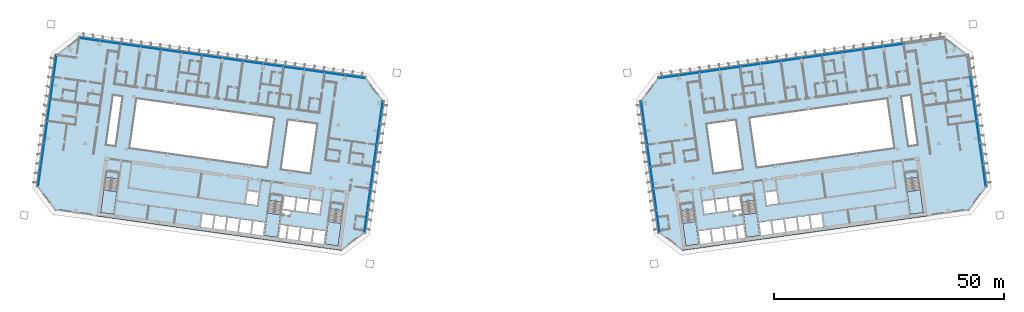
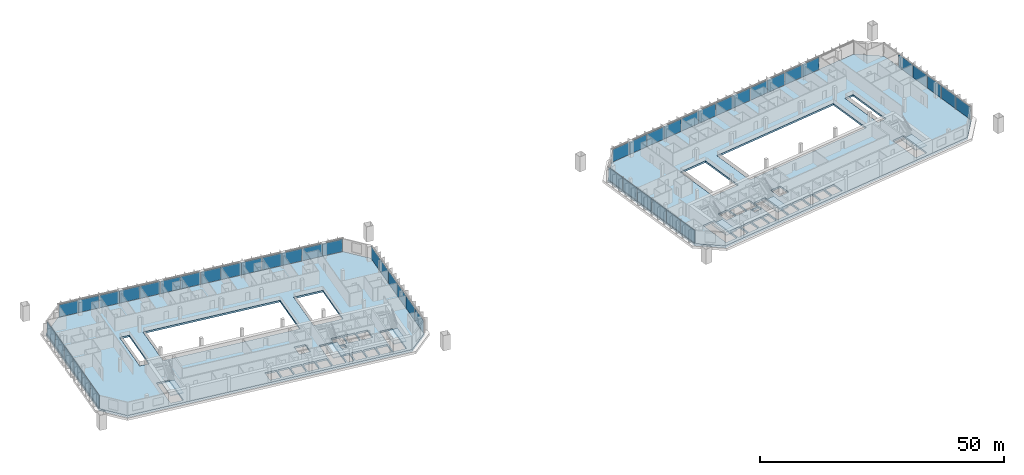
# One storey, part 13 of 26: 49 plates, 8 slabs, 12 elements without a shape of their own.
"""IFC4 building model written with IfcOpenShell, lengths in metres."""

from ifc_helpers import new_model, si_unit, direction, frame, origin, origin_2d, place, context, subcontext, project, spatial, polyline, rectangle, outline, extrude, material, layer, layer_set, type_object, element, aggregate, save


model = new_model("IFC4")

# Units and contexts
model_context = context("Model", 3, precision=1e-05, world=origin(), true_north=direction((0.0, 1.0)))
body_context = subcontext(model_context, "Body", "Model", "MODEL_VIEW")
ifc_project = project(units=[si_unit("LENGTHUNIT", "METRE"), si_unit("AREAUNIT", "SQUARE_METRE"), si_unit("VOLUMEUNIT", "CUBIC_METRE"), si_unit("PLANEANGLEUNIT", "RADIAN"), si_unit("MASSUNIT", "GRAM", prefix="KILO")], contexts=[model_context])

# Site, building, storey
site_placement = place(None, origin())
site = spatial("IfcSite", under=ifc_project, at=site_placement, CompositionType="ELEMENT")
building_placement = place(site_placement, origin())
building = spatial("IfcBuilding", under=site, at=building_placement, Name="Mirante Cascada Hotel Towers", CompositionType="ELEMENT")
storey_placement = place(building_placement, frame((0.0, 0.0, 144.3)))
storey = spatial("IfcBuildingStorey", under=building, at=storey_placement, Name="L33", CompositionType="ELEMENT", Elevation=144.3)

# Curtain wall, plates
ifc_material_1 = material(Name="Aluminium mullion and transom frame with clear laminated glass", Category="aluminium")
curtain_wall_type_1 = type_object("IfcCurtainWallType", Name="Ribbon curtain wall ECW1", PredefinedType="NOTDEFINED", material=ifc_material_1)
curtain_wall_1_placement = place(storey_placement, origin())
curtain_wall_1 = element("IfcCurtainWall", 1, at=curtain_wall_1_placement, inside=storey, type_object=curtain_wall_type_1, Name="Front ribbon wall T1 L33", PredefinedType="NOTDEFINED")
ifc_material_2 = material(Name="Clear laminated glass", Category="glass")
ifc_layer_1 = layer(ifc_material_2, 0.036)
ifc_layer_set_1 = layer_set([ifc_layer_1], Name="ECW1 glass panel 36")
plate_type_1 = type_object("IfcPlateType", Name="ECW1 glass panel 36", PredefinedType="CURTAIN_PANEL", material=ifc_layer_set_1)
plate_1_placement = place(storey_placement, frame((-91.9184, 25.7373, 0.1), z_axis=(0.0, 0.0, 1.0), x_axis=(0.9902681, -0.1391731, 0.0)))
plate_1 = element("IfcPlate", 2, at=plate_1_placement, type_object=plate_type_1, Name="ECW1 panel 1", PredefinedType="CURTAIN_PANEL", context=body_context, shape_type="SweptSolid", body=[
    extrude(rectangle(XDim=4.3936, YDim=0.036, at=origin_2d()), origin(), (0.0, 0.0, 1.0), 3.15),
])
plate_2_placement = place(storey_placement, frame((-87.487, 25.1145, 0.1), z_axis=(0.0, 0.0, 1.0), x_axis=(0.9902681, -0.1391731, 0.0)))
plate_2 = element("IfcPlate", 3, at=plate_2_placement, type_object=plate_type_1, Name="ECW1 panel 2", PredefinedType="CURTAIN_PANEL", context=body_context, shape_type="SweptSolid", body=[
    extrude(rectangle(XDim=4.4261, YDim=0.036, at=origin_2d()), origin(), (0.0, 0.0, 1.0), 3.15),
])
plate_3_placement = place(storey_placement, frame((-83.0396, 24.4895, 0.1), z_axis=(0.0, 0.0, 1.0), x_axis=(0.9902681, -0.1391731, 0.0)))
plate_3 = element("IfcPlate", 4, at=plate_3_placement, type_object=plate_type_1, Name="ECW1 panel 3", PredefinedType="CURTAIN_PANEL", context=body_context, shape_type="SweptSolid", body=[
    extrude(rectangle(XDim=4.4261, YDim=0.036, at=origin_2d()), origin(), (0.0, 0.0, 1.0), 3.15),
])
plate_4_placement = place(storey_placement, frame((-78.5922, 23.8644, 0.1), z_axis=(0.0, 0.0, 1.0), x_axis=(0.9902681, -0.1391731, 0.0)))
plate_4 = element("IfcPlate", 5, at=plate_4_placement, type_object=plate_type_1, Name="ECW1 panel 4", PredefinedType="CURTAIN_PANEL", context=body_context, shape_type="SweptSolid", body=[
    extrude(rectangle(XDim=4.4261, YDim=0.036, at=origin_2d()), origin(), (0.0, 0.0, 1.0), 3.15),
])
plate_5_placement = place(storey_placement, frame((-74.1448, 23.2394, 0.1), z_axis=(0.0, 0.0, 1.0), x_axis=(0.9902681, -0.1391731, 0.0)))
plate_5 = element("IfcPlate", 6, at=plate_5_placement, type_object=plate_type_1, Name="ECW1 panel 5", PredefinedType="CURTAIN_PANEL", context=body_context, shape_type="SweptSolid", body=[
    extrude(rectangle(XDim=4.4261, YDim=0.036, at=origin_2d()), origin(), (0.0, 0.0, 1.0), 3.15),
])
plate_6_placement = place(storey_placement, frame((-69.6974, 22.6144, 0.1), z_axis=(0.0, 0.0, 1.0), x_axis=(0.9902681, -0.1391731, 0.0)))
plate_6 = element("IfcPlate", 7, at=plate_6_placement, type_object=plate_type_1, Name="ECW1 panel 6", PredefinedType="CURTAIN_PANEL", context=body_context, shape_type="SweptSolid", body=[
    extrude(rectangle(XDim=4.4261, YDim=0.036, at=origin_2d()), origin(), (0.0, 0.0, 1.0), 3.15),
])
plate_7_placement = place(storey_placement, frame((-65.2499, 21.9893, 0.1), z_axis=(0.0, 0.0, 1.0), x_axis=(0.9902681, -0.1391731, 0.0)))
plate_7 = element("IfcPlate", 8, at=plate_7_placement, type_object=plate_type_1, Name="ECW1 panel 7", PredefinedType="CURTAIN_PANEL", context=body_context, shape_type="SweptSolid", body=[
    extrude(rectangle(XDim=4.4261, YDim=0.036, at=origin_2d()), origin(), (0.0, 0.0, 1.0), 3.15),
])
plate_8_placement = place(storey_placement, frame((-60.8025, 21.3643, 0.1), z_axis=(0.0, 0.0, 1.0), x_axis=(0.9902681, -0.1391731, 0.0)))
plate_8 = element("IfcPlate", 9, at=plate_8_placement, type_object=plate_type_1, Name="ECW1 panel 8", PredefinedType="CURTAIN_PANEL", context=body_context, shape_type="SweptSolid", body=[
    extrude(rectangle(XDim=4.4261, YDim=0.036, at=origin_2d()), origin(), (0.0, 0.0, 1.0), 3.15),
])
plate_9_placement = place(storey_placement, frame((-56.3551, 20.7392, 0.1), z_axis=(0.0, 0.0, 1.0), x_axis=(0.9902681, -0.1391731, 0.0)))
plate_9 = element("IfcPlate", 10, at=plate_9_placement, type_object=plate_type_1, Name="ECW1 panel 9", PredefinedType="CURTAIN_PANEL", context=body_context, shape_type="SweptSolid", body=[
    extrude(rectangle(XDim=4.4261, YDim=0.036, at=origin_2d()), origin(), (0.0, 0.0, 1.0), 3.15),
])
plate_10_placement = place(storey_placement, frame((-51.9077, 20.1142, 0.1), z_axis=(0.0, 0.0, 1.0), x_axis=(0.9902681, -0.1391731, 0.0)))
plate_10 = element("IfcPlate", 11, at=plate_10_placement, type_object=plate_type_1, Name="ECW1 panel 10", PredefinedType="CURTAIN_PANEL", context=body_context, shape_type="SweptSolid", body=[
    extrude(rectangle(XDim=4.4261, YDim=0.036, at=origin_2d()), origin(), (0.0, 0.0, 1.0), 3.15),
])
plate_11_placement = place(storey_placement, frame((-47.4603, 19.4891, 0.1), z_axis=(0.0, 0.0, 1.0), x_axis=(0.9902681, -0.1391731, 0.0)))
plate_11 = element("IfcPlate", 12, at=plate_11_placement, type_object=plate_type_1, Name="ECW1 panel 11", PredefinedType="CURTAIN_PANEL", context=body_context, shape_type="SweptSolid", body=[
    extrude(rectangle(XDim=4.4261, YDim=0.036, at=origin_2d()), origin(), (0.0, 0.0, 1.0), 3.15),
])
plate_12_placement = place(storey_placement, frame((-43.0129, 18.8641, 0.1), z_axis=(0.0, 0.0, 1.0), x_axis=(0.9902681, -0.1391731, 0.0)))
plate_12 = element("IfcPlate", 13, at=plate_12_placement, type_object=plate_type_1, Name="ECW1 panel 12", PredefinedType="CURTAIN_PANEL", context=body_context, shape_type="SweptSolid", body=[
    extrude(rectangle(XDim=4.4261, YDim=0.036, at=origin_2d()), origin(), (0.0, 0.0, 1.0), 3.15),
])
plate_13_placement = place(storey_placement, frame((-38.5654, 18.239, 0.1), z_axis=(0.0, 0.0, 1.0), x_axis=(0.9902681, -0.1391731, 0.0)))
plate_13 = element("IfcPlate", 14, at=plate_13_placement, type_object=plate_type_1, Name="ECW1 panel 13", PredefinedType="CURTAIN_PANEL", context=body_context, shape_type="SweptSolid", body=[
    extrude(rectangle(XDim=4.4261, YDim=0.036, at=origin_2d()), origin(), (0.0, 0.0, 1.0), 3.15),
])
plate_14_placement = place(storey_placement, frame((-34.1341, 17.6163, 0.1), z_axis=(0.0, 0.0, 1.0), x_axis=(0.9902681, -0.1391731, 0.0)))
plate_14 = element("IfcPlate", 15, at=plate_14_placement, type_object=plate_type_1, Name="ECW1 panel 14", PredefinedType="CURTAIN_PANEL", context=body_context, shape_type="SweptSolid", body=[
    extrude(rectangle(XDim=4.3936, YDim=0.036, at=origin_2d()), origin(), (0.0, 0.0, 1.0), 3.15),
])
aggregate(curtain_wall_1, [plate_1, plate_2, plate_3, plate_4, plate_5, plate_6, plate_7, plate_8, plate_9, plate_10, plate_11, plate_12, plate_13, plate_14])

curtain_wall_2_placement = place(storey_placement, origin())
curtain_wall_2 = element("IfcCurtainWall", 16, at=curtain_wall_2_placement, inside=storey, type_object=curtain_wall_type_1, Name="Front ribbon wall T2 L33", PredefinedType="NOTDEFINED")
plate_15_placement = place(storey_placement, frame((83.0396, 24.4895, 0.1), z_axis=(0.0, 0.0, 1.0), x_axis=(-0.9902681, -0.1391731, 0.0)))
plate_15 = element("IfcPlate", 17, at=plate_15_placement, type_object=plate_type_1, Name="ECW1 panel 3", PredefinedType="CURTAIN_PANEL", context=body_context, shape_type="SweptSolid", body=[
    extrude(rectangle(XDim=4.4261, YDim=0.036, at=origin_2d()), origin(), (0.0, 0.0, 1.0), 3.15),
])
plate_16_placement = place(storey_placement, frame((78.5922, 23.8644, 0.1), z_axis=(0.0, 0.0, 1.0), x_axis=(-0.9902681, -0.1391731, 0.0)))
plate_16 = element("IfcPlate", 18, at=plate_16_placement, type_object=plate_type_1, Name="ECW1 panel 4", PredefinedType="CURTAIN_PANEL", context=body_context, shape_type="SweptSolid", body=[
    extrude(rectangle(XDim=4.4261, YDim=0.036, at=origin_2d()), origin(), (0.0, 0.0, 1.0), 3.15),
])
plate_17_placement = place(storey_placement, frame((74.1448, 23.2394, 0.1), z_axis=(0.0, 0.0, 1.0), x_axis=(-0.9902681, -0.1391731, 0.0)))
plate_17 = element("IfcPlate", 19, at=plate_17_placement, type_object=plate_type_1, Name="ECW1 panel 5", PredefinedType="CURTAIN_PANEL", context=body_context, shape_type="SweptSolid", body=[
    extrude(rectangle(XDim=4.4261, YDim=0.036, at=origin_2d()), origin(), (0.0, 0.0, 1.0), 3.15),
])
plate_18_placement = place(storey_placement, frame((69.6974, 22.6144, 0.1), z_axis=(0.0, 0.0, 1.0), x_axis=(-0.9902681, -0.1391731, 0.0)))
plate_18 = element("IfcPlate", 20, at=plate_18_placement, type_object=plate_type_1, Name="ECW1 panel 6", PredefinedType="CURTAIN_PANEL", context=body_context, shape_type="SweptSolid", body=[
    extrude(rectangle(XDim=4.4261, YDim=0.036, at=origin_2d()), origin(), (0.0, 0.0, 1.0), 3.15),
])
plate_19_placement = place(storey_placement, frame((65.2499, 21.9893, 0.1), z_axis=(0.0, 0.0, 1.0), x_axis=(-0.9902681, -0.1391731, 0.0)))
plate_19 = element("IfcPlate", 21, at=plate_19_placement, type_object=plate_type_1, Name="ECW1 panel 7", PredefinedType="CURTAIN_PANEL", context=body_context, shape_type="SweptSolid", body=[
    extrude(rectangle(XDim=4.4261, YDim=0.036, at=origin_2d()), origin(), (0.0, 0.0, 1.0), 3.15),
])
plate_20_placement = place(storey_placement, frame((60.8025, 21.3643, 0.1), z_axis=(0.0, 0.0, 1.0), x_axis=(-0.9902681, -0.1391731, 0.0)))
plate_20 = element("IfcPlate", 22, at=plate_20_placement, type_object=plate_type_1, Name="ECW1 panel 8", PredefinedType="CURTAIN_PANEL", context=body_context, shape_type="SweptSolid", body=[
    extrude(rectangle(XDim=4.4261, YDim=0.036, at=origin_2d()), origin(), (0.0, 0.0, 1.0), 3.15),
])
plate_21_placement = place(storey_placement, frame((56.3551, 20.7392, 0.1), z_axis=(0.0, 0.0, 1.0), x_axis=(-0.9902681, -0.1391731, 0.0)))
plate_21 = element("IfcPlate", 23, at=plate_21_placement, type_object=plate_type_1, Name="ECW1 panel 9", PredefinedType="CURTAIN_PANEL", context=body_context, shape_type="SweptSolid", body=[
    extrude(rectangle(XDim=4.4261, YDim=0.036, at=origin_2d()), origin(), (0.0, 0.0, 1.0), 3.15),
])
plate_22_placement = place(storey_placement, frame((51.9077, 20.1142, 0.1), z_axis=(0.0, 0.0, 1.0), x_axis=(-0.9902681, -0.1391731, 0.0)))
plate_22 = element("IfcPlate", 24, at=plate_22_placement, type_object=plate_type_1, Name="ECW1 panel 10", PredefinedType="CURTAIN_PANEL", context=body_context, shape_type="SweptSolid", body=[
    extrude(rectangle(XDim=4.4261, YDim=0.036, at=origin_2d()), origin(), (0.0, 0.0, 1.0), 3.15),
])
plate_23_placement = place(storey_placement, frame((47.4603, 19.4891, 0.1), z_axis=(0.0, 0.0, 1.0), x_axis=(-0.9902681, -0.1391731, 0.0)))
plate_23 = element("IfcPlate", 25, at=plate_23_placement, type_object=plate_type_1, Name="ECW1 panel 11", PredefinedType="CURTAIN_PANEL", context=body_context, shape_type="SweptSolid", body=[
    extrude(rectangle(XDim=4.4261, YDim=0.036, at=origin_2d()), origin(), (0.0, 0.0, 1.0), 3.15),
])
plate_24_placement = place(storey_placement, frame((43.0129, 18.8641, 0.1), z_axis=(0.0, 0.0, 1.0), x_axis=(-0.9902681, -0.1391731, 0.0)))
plate_24 = element("IfcPlate", 26, at=plate_24_placement, type_object=plate_type_1, Name="ECW1 panel 12", PredefinedType="CURTAIN_PANEL", context=body_context, shape_type="SweptSolid", body=[
    extrude(rectangle(XDim=4.4261, YDim=0.036, at=origin_2d()), origin(), (0.0, 0.0, 1.0), 3.15),
])
plate_25_placement = place(storey_placement, frame((38.5654, 18.239, 0.1), z_axis=(0.0, 0.0, 1.0), x_axis=(-0.9902681, -0.1391731, 0.0)))
plate_25 = element("IfcPlate", 27, at=plate_25_placement, type_object=plate_type_1, Name="ECW1 panel 13", PredefinedType="CURTAIN_PANEL", context=body_context, shape_type="SweptSolid", body=[
    extrude(rectangle(XDim=4.4261, YDim=0.036, at=origin_2d()), origin(), (0.0, 0.0, 1.0), 3.15),
])
plate_26_placement = place(storey_placement, frame((34.1341, 17.6163, 0.1), z_axis=(0.0, 0.0, 1.0), x_axis=(-0.9902681, -0.1391731, 0.0)))
plate_26 = element("IfcPlate", 28, at=plate_26_placement, type_object=plate_type_1, Name="ECW1 panel 14", PredefinedType="CURTAIN_PANEL", context=body_context, shape_type="SweptSolid", body=[
    extrude(rectangle(XDim=4.3936, YDim=0.036, at=origin_2d()), origin(), (0.0, 0.0, 1.0), 3.15),
])
aggregate(curtain_wall_2, [plate_15, plate_16, plate_17, plate_18, plate_19, plate_20, plate_21, plate_22, plate_23, plate_24, plate_25, plate_26])

ifc_material_3 = material(Name="Aluminium mullion and transom frame with clear laminated glass", Category="aluminium")
curtain_wall_type_2 = type_object("IfcCurtainWallType", Name="End ribbon curtain wall ECW2", PredefinedType="NOTDEFINED", material=ifc_material_3)
curtain_wall_3_placement = place(storey_placement, origin())
curtain_wall_3 = element("IfcCurtainWall", 29, at=curtain_wall_3_placement, inside=storey, type_object=curtain_wall_type_2, Name="Inner end wall T1 L33", PredefinedType="NOTDEFINED")
ifc_material_4 = material(Name="Clear laminated glass", Category="glass")
ifc_layer_2 = layer(ifc_material_4, 0.034)
ifc_layer_set_2 = layer_set([ifc_layer_2], Name="ECW2 glass panel 34")
plate_type_2 = type_object("IfcPlateType", Name="ECW2 glass panel 34", PredefinedType="CURTAIN_PANEL", material=ifc_layer_set_2)
plate_27_placement = place(storey_placement, frame((-28.4763, 9.9193, 0.1), z_axis=(0.0, 0.0, 1.0), x_axis=(-0.1391731, -0.9902681, 0.0)))
plate_27 = element("IfcPlate", 30, at=plate_27_placement, type_object=plate_type_2, Name="ECW2 panel 1", PredefinedType="CURTAIN_PANEL", context=body_context, shape_type="SweptSolid", body=[
    extrude(rectangle(XDim=4.7151, YDim=0.034, at=origin_2d()), origin(), (0.0, 0.0, 1.0), 3.15),
])
plate_28_placement = place(storey_placement, frame((-29.1439, 5.1696, 0.1), z_axis=(0.0, 0.0, 1.0), x_axis=(-0.1391731, -0.9902681, 0.0)))
plate_28 = element("IfcPlate", 31, at=plate_28_placement, type_object=plate_type_2, Name="ECW2 panel 2", PredefinedType="CURTAIN_PANEL", context=body_context, shape_type="SweptSolid", body=[
    extrude(rectangle(XDim=4.7476, YDim=0.034, at=origin_2d()), origin(), (0.0, 0.0, 1.0), 3.15),
])
plate_29_placement = place(storey_placement, frame((-29.8136, 0.4038, 0.1), z_axis=(0.0, 0.0, 1.0), x_axis=(-0.1391731, -0.9902681, 0.0)))
plate_29 = element("IfcPlate", 32, at=plate_29_placement, type_object=plate_type_2, Name="ECW2 panel 3", PredefinedType="CURTAIN_PANEL", context=body_context, shape_type="SweptSolid", body=[
    extrude(rectangle(XDim=4.7476, YDim=0.034, at=origin_2d()), origin(), (0.0, 0.0, 1.0), 3.15),
])
plate_30_placement = place(storey_placement, frame((-30.4834, -4.362, 0.1), z_axis=(0.0, 0.0, 1.0), x_axis=(-0.1391731, -0.9902681, 0.0)))
plate_30 = element("IfcPlate", 33, at=plate_30_placement, type_object=plate_type_2, Name="ECW2 panel 4", PredefinedType="CURTAIN_PANEL", context=body_context, shape_type="SweptSolid", body=[
    extrude(rectangle(XDim=4.7476, YDim=0.034, at=origin_2d()), origin(), (0.0, 0.0, 1.0), 3.15),
])
plate_31_placement = place(storey_placement, frame((-31.1532, -9.1278, 0.1), z_axis=(0.0, 0.0, 1.0), x_axis=(-0.1391731, -0.9902681, 0.0)))
plate_31 = element("IfcPlate", 34, at=plate_31_placement, type_object=plate_type_2, Name="ECW2 panel 5", PredefinedType="CURTAIN_PANEL", context=body_context, shape_type="SweptSolid", body=[
    extrude(rectangle(XDim=4.7476, YDim=0.034, at=origin_2d()), origin(), (0.0, 0.0, 1.0), 3.15),
])
plate_32_placement = place(storey_placement, frame((-31.8207, -13.8775, 0.1), z_axis=(0.0, 0.0, 1.0), x_axis=(-0.1391731, -0.9902681, 0.0)))
plate_32 = element("IfcPlate", 35, at=plate_32_placement, type_object=plate_type_2, Name="ECW2 panel 6", PredefinedType="CURTAIN_PANEL", context=body_context, shape_type="SweptSolid", body=[
    extrude(rectangle(XDim=4.7151, YDim=0.034, at=origin_2d()), origin(), (0.0, 0.0, 1.0), 3.15),
])
aggregate(curtain_wall_3, [plate_27, plate_28, plate_29, plate_30, plate_31, plate_32])

curtain_wall_4_placement = place(storey_placement, origin())
curtain_wall_4 = element("IfcCurtainWall", 36, at=curtain_wall_4_placement, inside=storey, type_object=curtain_wall_type_2, Name="Outer end wall T1 L33", PredefinedType="NOTDEFINED")
plate_33_placement = place(storey_placement, frame((-102.823, -3.8988, 0.1), z_axis=(0.0, 0.0, 1.0), x_axis=(0.1391731, 0.9902681, 0.0)))
plate_33 = element("IfcPlate", 37, at=plate_33_placement, type_object=plate_type_2, Name="ECW2 panel 1", PredefinedType="CURTAIN_PANEL", context=body_context, shape_type="SweptSolid", body=[
    extrude(rectangle(XDim=4.7151, YDim=0.034, at=origin_2d()), origin(), (0.0, 0.0, 1.0), 3.15),
])
plate_34_placement = place(storey_placement, frame((-102.1554, 0.8509, 0.1), z_axis=(0.0, 0.0, 1.0), x_axis=(0.1391731, 0.9902681, 0.0)))
plate_34 = element("IfcPlate", 38, at=plate_34_placement, type_object=plate_type_2, Name="ECW2 panel 2", PredefinedType="CURTAIN_PANEL", context=body_context, shape_type="SweptSolid", body=[
    extrude(rectangle(XDim=4.7476, YDim=0.034, at=origin_2d()), origin(), (0.0, 0.0, 1.0), 3.15),
])
plate_35_placement = place(storey_placement, frame((-100.1461, 15.1483, 0.1), z_axis=(0.0, 0.0, 1.0), x_axis=(0.1391731, 0.9902681, 0.0)))
plate_35 = element("IfcPlate", 39, at=plate_35_placement, type_object=plate_type_2, Name="ECW2 panel 5", PredefinedType="CURTAIN_PANEL", context=body_context, shape_type="SweptSolid", body=[
    extrude(rectangle(XDim=4.7476, YDim=0.034, at=origin_2d()), origin(), (0.0, 0.0, 1.0), 3.15),
])
plate_36_placement = place(storey_placement, frame((-99.4786, 19.898, 0.1), z_axis=(0.0, 0.0, 1.0), x_axis=(0.1391731, 0.9902681, 0.0)))
plate_36 = element("IfcPlate", 40, at=plate_36_placement, type_object=plate_type_2, Name="ECW2 panel 6", PredefinedType="CURTAIN_PANEL", context=body_context, shape_type="SweptSolid", body=[
    extrude(rectangle(XDim=4.7151, YDim=0.034, at=origin_2d()), origin(), (0.0, 0.0, 1.0), 3.15),
])

curtain_wall_5_placement = place(storey_placement, origin())
curtain_wall_5 = element("IfcCurtainWall", 41, at=curtain_wall_5_placement, inside=storey, type_object=curtain_wall_type_2, Name="Inner end wall T2 L33", PredefinedType="NOTDEFINED")
plate_37_placement = place(storey_placement, frame((28.4763, 9.9193, 0.1), z_axis=(0.0, 0.0, 1.0), x_axis=(0.1391731, -0.9902681, 0.0)))
plate_37 = element("IfcPlate", 42, at=plate_37_placement, type_object=plate_type_2, Name="ECW2 panel 1", PredefinedType="CURTAIN_PANEL", context=body_context, shape_type="SweptSolid", body=[
    extrude(rectangle(XDim=4.7151, YDim=0.034, at=origin_2d()), origin(), (0.0, 0.0, 1.0), 3.15),
])
plate_38_placement = place(storey_placement, frame((29.1439, 5.1696, 0.1), z_axis=(0.0, 0.0, 1.0), x_axis=(0.1391731, -0.9902681, 0.0)))
plate_38 = element("IfcPlate", 43, at=plate_38_placement, type_object=plate_type_2, Name="ECW2 panel 2", PredefinedType="CURTAIN_PANEL", context=body_context, shape_type="SweptSolid", body=[
    extrude(rectangle(XDim=4.7476, YDim=0.034, at=origin_2d()), origin(), (0.0, 0.0, 1.0), 3.15),
])
plate_39_placement = place(storey_placement, frame((29.8136, 0.4038, 0.1), z_axis=(0.0, 0.0, 1.0), x_axis=(0.1391731, -0.9902681, 0.0)))
plate_39 = element("IfcPlate", 44, at=plate_39_placement, type_object=plate_type_2, Name="ECW2 panel 3", PredefinedType="CURTAIN_PANEL", context=body_context, shape_type="SweptSolid", body=[
    extrude(rectangle(XDim=4.7476, YDim=0.034, at=origin_2d()), origin(), (0.0, 0.0, 1.0), 3.15),
])
plate_40_placement = place(storey_placement, frame((30.4834, -4.362, 0.1), z_axis=(0.0, 0.0, 1.0), x_axis=(0.1391731, -0.9902681, 0.0)))
plate_40 = element("IfcPlate", 45, at=plate_40_placement, type_object=plate_type_2, Name="ECW2 panel 4", PredefinedType="CURTAIN_PANEL", context=body_context, shape_type="SweptSolid", body=[
    extrude(rectangle(XDim=4.7476, YDim=0.034, at=origin_2d()), origin(), (0.0, 0.0, 1.0), 3.15),
])
plate_41_placement = place(storey_placement, frame((31.1532, -9.1278, 0.1), z_axis=(0.0, 0.0, 1.0), x_axis=(0.1391731, -0.9902681, 0.0)))
plate_41 = element("IfcPlate", 46, at=plate_41_placement, type_object=plate_type_2, Name="ECW2 panel 5", PredefinedType="CURTAIN_PANEL", context=body_context, shape_type="SweptSolid", body=[
    extrude(rectangle(XDim=4.7476, YDim=0.034, at=origin_2d()), origin(), (0.0, 0.0, 1.0), 3.15),
])
plate_42_placement = place(storey_placement, frame((31.8207, -13.8775, 0.1), z_axis=(0.0, 0.0, 1.0), x_axis=(0.1391731, -0.9902681, 0.0)))
plate_42 = element("IfcPlate", 47, at=plate_42_placement, type_object=plate_type_2, Name="ECW2 panel 6", PredefinedType="CURTAIN_PANEL", context=body_context, shape_type="SweptSolid", body=[
    extrude(rectangle(XDim=4.7151, YDim=0.034, at=origin_2d()), origin(), (0.0, 0.0, 1.0), 3.15),
])
aggregate(curtain_wall_5, [plate_37, plate_38, plate_39, plate_40, plate_41, plate_42])

curtain_wall_6_placement = place(storey_placement, origin())
curtain_wall_6 = element("IfcCurtainWall", 48, at=curtain_wall_6_placement, inside=storey, type_object=curtain_wall_type_2, Name="Outer end wall T2 L33", PredefinedType="NOTDEFINED")
plate_43_placement = place(storey_placement, frame((102.823, -3.8988, 0.1), z_axis=(0.0, 0.0, 1.0), x_axis=(-0.1391731, 0.9902681, 0.0)))
plate_43 = element("IfcPlate", 49, at=plate_43_placement, type_object=plate_type_2, Name="ECW2 panel 1", PredefinedType="CURTAIN_PANEL", context=body_context, shape_type="SweptSolid", body=[
    extrude(rectangle(XDim=4.7151, YDim=0.034, at=origin_2d()), origin(), (0.0, 0.0, 1.0), 3.15),
])
plate_44_placement = place(storey_placement, frame((102.1554, 0.8509, 0.1), z_axis=(0.0, 0.0, 1.0), x_axis=(-0.1391731, 0.9902681, 0.0)))
plate_44 = element("IfcPlate", 50, at=plate_44_placement, type_object=plate_type_2, Name="ECW2 panel 2", PredefinedType="CURTAIN_PANEL", context=body_context, shape_type="SweptSolid", body=[
    extrude(rectangle(XDim=4.7476, YDim=0.034, at=origin_2d()), origin(), (0.0, 0.0, 1.0), 3.15),
])
plate_45_placement = place(storey_placement, frame((100.1461, 15.1483, 0.1), z_axis=(0.0, 0.0, 1.0), x_axis=(-0.1391731, 0.9902681, 0.0)))
plate_45 = element("IfcPlate", 51, at=plate_45_placement, type_object=plate_type_2, Name="ECW2 panel 5", PredefinedType="CURTAIN_PANEL", context=body_context, shape_type="SweptSolid", body=[
    extrude(rectangle(XDim=4.7476, YDim=0.034, at=origin_2d()), origin(), (0.0, 0.0, 1.0), 3.15),
])

# Plate
ifc_material_5 = material(Name="Insulated aluminium spandrel panel", Category="aluminium")
ifc_layer_3 = layer(ifc_material_5, 0.034)
ifc_layer_set_3 = layer_set([ifc_layer_3], Name="ECW2 spandrel panel 34")
plate_type_3 = type_object("IfcPlateType", Name="ECW2 spandrel panel 34", PredefinedType="CURTAIN_PANEL", material=ifc_layer_set_3)
plate_46_placement = place(storey_placement, frame((-101.4857, 5.6167, 0.1), z_axis=(0.0, 0.0, 1.0), x_axis=(0.1391731, 0.9902681, 0.0)))
plate_46 = element("IfcPlate", 52, at=plate_46_placement, type_object=plate_type_3, Name="ECW2 panel 3", PredefinedType="CURTAIN_PANEL", context=body_context, shape_type="SweptSolid", body=[
    extrude(rectangle(XDim=4.7476, YDim=0.034, at=origin_2d()), origin(), (0.0, 0.0, 1.0), 3.15),
])

plate_47_placement = place(storey_placement, frame((-100.8159, 10.3825, 0.1), z_axis=(0.0, 0.0, 1.0), x_axis=(0.1391731, 0.9902681, 0.0)))
plate_47 = element("IfcPlate", 53, at=plate_47_placement, type_object=plate_type_3, Name="ECW2 panel 4", PredefinedType="CURTAIN_PANEL", context=body_context, shape_type="SweptSolid", body=[
    extrude(rectangle(XDim=4.7476, YDim=0.034, at=origin_2d()), origin(), (0.0, 0.0, 1.0), 3.15),
])

aggregate(curtain_wall_4, [plate_33, plate_34, plate_46, plate_47, plate_35, plate_36])

plate_48_placement = place(storey_placement, frame((101.4857, 5.6167, 0.1), z_axis=(0.0, 0.0, 1.0), x_axis=(-0.1391731, 0.9902681, 0.0)))
plate_48 = element("IfcPlate", 54, at=plate_48_placement, type_object=plate_type_3, Name="ECW2 panel 3", PredefinedType="CURTAIN_PANEL", context=body_context, shape_type="SweptSolid", body=[
    extrude(rectangle(XDim=4.7476, YDim=0.034, at=origin_2d()), origin(), (0.0, 0.0, 1.0), 3.15),
])

plate_49_placement = place(storey_placement, frame((100.8159, 10.3825, 0.1), z_axis=(0.0, 0.0, 1.0), x_axis=(-0.1391731, 0.9902681, 0.0)))
plate_49 = element("IfcPlate", 55, at=plate_49_placement, type_object=plate_type_3, Name="ECW2 panel 4", PredefinedType="CURTAIN_PANEL", context=body_context, shape_type="SweptSolid", body=[
    extrude(rectangle(XDim=4.7476, YDim=0.034, at=origin_2d()), origin(), (0.0, 0.0, 1.0), 3.15),
])

aggregate(curtain_wall_6, [plate_43, plate_44, plate_48, plate_49, plate_45])

# Stair, slab
ifc_material_6 = material(Name="Concrete C35/45", Category="concrete")
stair_type = type_object("IfcStairType", Name="Exit stair half-turn 1350 concrete C35/45", PredefinedType="HALF_TURN_STAIR", material=ifc_material_6)
stair_1_placement = place(storey_placement, origin())
stair_1 = element("IfcStair", 56, at=stair_1_placement, inside=storey, type_object=stair_type, Name="L33 Exit stair A", PredefinedType="HALF_TURN_STAIR")
ifc_material_7 = material(Name="Concrete C35/45", Category="concrete")
ifc_layer_4 = layer(ifc_material_7, 0.2)
ifc_layer_set_4 = layer_set([ifc_layer_4], Name="Exit stair landing 200 concrete C35/45")
slab_type_1 = type_object("IfcSlabType", Name="Exit stair landing 200 concrete C35/45", PredefinedType="LANDING", material=ifc_layer_set_4)
slab_1_placement = place(storey_placement, frame((0.0, 0.0, 1.7)))
slab_1 = element("IfcSlab", 57, at=slab_1_placement, type_object=slab_type_1, Name="ST1-A landing 1", PredefinedType="LANDING", context=body_context, shape_type="SweptSolid", body=[
    extrude(outline(polyline([(-39.9987, -13.8659), (-40.6887, -18.7757), (-37.8665, -19.1723), (-37.1765, -14.2626), (-39.9987, -13.8659)])), origin(), (0.0, 0.0, 1.0), 0.2),
])
aggregate(stair_1, [slab_1])

stair_2_placement = place(storey_placement, origin())
stair_2 = element("IfcStair", 58, at=stair_2_placement, inside=storey, type_object=stair_type, Name="L33 Exit stair B", PredefinedType="HALF_TURN_STAIR")
slab_2_placement = place(storey_placement, frame((0.0, 0.0, 1.7)))
slab_2 = element("IfcSlab", 59, at=slab_2_placement, type_object=slab_type_1, Name="ST1-B landing 1", PredefinedType="LANDING", context=body_context, shape_type="SweptSolid", body=[
    extrude(outline(polyline([(-53.2188, -12.008), (-53.9088, -16.9177), (-51.0866, -17.3144), (-50.3965, -12.4046), (-53.2188, -12.008)])), origin(), (0.0, 0.0, 1.0), 0.2),
])
aggregate(stair_2, [slab_2])

stair_3_placement = place(storey_placement, origin())
stair_3 = element("IfcStair", 60, at=stair_3_placement, inside=storey, type_object=stair_type, Name="L33 Exit stair C", PredefinedType="HALF_TURN_STAIR")
slab_3_placement = place(storey_placement, frame((0.0, 0.0, 1.7)))
slab_3 = element("IfcSlab", 61, at=slab_3_placement, type_object=slab_type_1, Name="ST1-C landing 1", PredefinedType="LANDING", context=body_context, shape_type="SweptSolid", body=[
    extrude(outline(polyline([(-88.8685, -6.9977), (-89.5585, -11.9075), (-86.7362, -12.3041), (-86.0462, -7.3944), (-88.8685, -6.9977)])), origin(), (0.0, 0.0, 1.0), 0.2),
])
aggregate(stair_3, [slab_3])

stair_4_placement = place(storey_placement, origin())
stair_4 = element("IfcStair", 62, at=stair_4_placement, inside=storey, type_object=stair_type, Name="L33 Exit stair A", PredefinedType="HALF_TURN_STAIR")
slab_4_placement = place(storey_placement, frame((0.0, 0.0, 1.7)))
slab_4 = element("IfcSlab", 63, at=slab_4_placement, type_object=slab_type_1, Name="ST2-A landing 1", PredefinedType="LANDING", context=body_context, shape_type="SweptSolid", body=[
    extrude(outline(polyline([(37.1765, -14.2626), (37.8665, -19.1723), (40.6887, -18.7757), (39.9987, -13.8659), (37.1765, -14.2626)])), origin(), (0.0, 0.0, 1.0), 0.2),
])
aggregate(stair_4, [slab_4])

stair_5_placement = place(storey_placement, origin())
stair_5 = element("IfcStair", 64, at=stair_5_placement, inside=storey, type_object=stair_type, Name="L33 Exit stair B", PredefinedType="HALF_TURN_STAIR")
slab_5_placement = place(storey_placement, frame((0.0, 0.0, 1.7)))
slab_5 = element("IfcSlab", 65, at=slab_5_placement, type_object=slab_type_1, Name="ST2-B landing 1", PredefinedType="LANDING", context=body_context, shape_type="SweptSolid", body=[
    extrude(outline(polyline([(50.3965, -12.4046), (51.0866, -17.3144), (53.9088, -16.9177), (53.2188, -12.008), (50.3965, -12.4046)])), origin(), (0.0, 0.0, 1.0), 0.2),
])
aggregate(stair_5, [slab_5])

stair_6_placement = place(storey_placement, origin())
stair_6 = element("IfcStair", 66, at=stair_6_placement, inside=storey, type_object=stair_type, Name="L33 Exit stair C", PredefinedType="HALF_TURN_STAIR")
slab_6_placement = place(storey_placement, frame((0.0, 0.0, 1.7)))
slab_6 = element("IfcSlab", 67, at=slab_6_placement, type_object=slab_type_1, Name="ST2-C landing 1", PredefinedType="LANDING", context=body_context, shape_type="SweptSolid", body=[
    extrude(outline(polyline([(86.0462, -7.3944), (86.7362, -12.3041), (89.5585, -11.9075), (88.8685, -6.9977), (86.0462, -7.3944)])), origin(), (0.0, 0.0, 1.0), 0.2),
])
aggregate(stair_6, [slab_6])

# Slabs
ifc_material_8 = material(Name="Concrete C40/50", Category="concrete")
ifc_layer_5 = layer(ifc_material_8, 0.45)
ifc_layer_set_5 = layer_set([ifc_layer_5], Name="Post-tensioned flat plate 450 Concrete C40/50")
slab_type_2 = type_object("IfcSlabType", Name="Post-tensioned flat plate 450 Concrete C40/50", PredefinedType="FLOOR", material=ifc_layer_set_5)
slab_7_placement = place(storey_placement, frame((0.0, 0.0, -0.45)))
element("IfcSlab", 68, at=slab_7_placement, inside=storey, type_object=slab_type_2, Name="Floor T1 L33", PredefinedType="FLOOR", context=body_context, shape_type="SweptSolid", body=[
    extrude(outline(polyline([(-32.018, -16.3589), (-27.982, 12.3589), (-31.8119, 17.4414), (-94.1988, 26.2093), (-99.2813, 22.3794), (-103.3173, -6.3384), (-99.4874, -11.4209), (-37.1005, -20.1888), (-32.018, -16.3589)]), holes=[polyline([(-43.0718, -15.6132), (-40.5961, -15.9612), (-40.9858, -18.7339), (-43.4615, -18.386), (-43.0718, -15.6132)]), polyline([(-45.8446, -15.2236), (-43.3689, -15.5715), (-43.7586, -18.3442), (-46.2342, -17.9963), (-45.8446, -15.2236)]), polyline([(-48.6173, -14.8339), (-46.1416, -15.1818), (-46.5313, -17.9546), (-49.007, -17.6066), (-48.6173, -14.8339)]), polyline([(-50.3998, -14.5834), (-48.9144, -14.7921), (-49.3041, -17.5649), (-50.7895, -17.3561), (-50.3998, -14.5834)]), polyline([(-36.7887, -11.5037), (-37.8665, -19.1723), (-40.6887, -18.7757), (-39.611, -11.107), (-36.7887, -11.5037)]), polyline([(-49.9544, -11.4145), (-48.1472, -11.6685), (-48.2829, -12.634), (-50.0901, -12.38), (-49.9544, -11.4145)]), polyline([(-43.9775, -9.124), (-41.5018, -9.472), (-41.8915, -12.2447), (-44.3672, -11.8968), (-43.9775, -9.124)]), polyline([(-47.1399, -11.5071), (-46.7503, -8.7344), (-44.2746, -9.0823), (-44.6643, -11.855), (-47.1399, -11.5071)]), polyline([(-49.9127, -11.1174), (-49.523, -8.3447), (-47.0473, -8.6926), (-47.437, -11.4654), (-49.9127, -11.1174)]), polyline([(-56.2919, -13.7553), (-53.8162, -14.1032), (-54.2059, -16.876), (-56.6816, -16.528), (-56.2919, -13.7553)]), polyline([(-59.0646, -13.3656), (-56.589, -13.7135), (-56.9787, -16.4863), (-59.4543, -16.1383), (-59.0646, -13.3656)]), polyline([(-61.8374, -12.9759), (-59.3617, -13.3238), (-59.7514, -16.0966), (-62.2271, -15.7487), (-61.8374, -12.9759)]), polyline([(-64.6101, -12.5862), (-62.1345, -12.9342), (-62.5242, -15.7069), (-64.9998, -15.359), (-64.6101, -12.5862)]), polyline([(-67.3829, -12.1965), (-64.9072, -12.5445), (-65.2969, -15.3172), (-67.7726, -14.9693), (-67.3829, -12.1965)]), polyline([(-50.0088, -9.6457), (-51.0866, -17.3144), (-53.9088, -16.9177), (-52.8311, -9.2491), (-50.0088, -9.6457)]), polyline([(-85.6585, -4.6355), (-86.7362, -12.3041), (-89.5585, -11.9075), (-88.4807, -4.2388), (-85.6585, -4.6355)]), polyline([(-57.9834, -9.9832), (-57.5937, -7.2104), (-55.118, -7.5583), (-55.5077, -10.3311), (-57.9834, -9.9832)]), polyline([(-86.873, 13.6677), (-84.7325, 13.3668), (-84.7325, 13.3668), (-86.2634, 2.4739), (-86.2634, 2.4739), (-88.4039, 2.7747), (-86.873, 13.6677)]), polyline([(-51.7318, 8.7289), (-53.2627, -2.1641), (-53.2627, -2.1641), (-83.2906, 2.0561), (-83.2906, 2.0561), (-81.7597, 12.949), (-81.7597, 12.949), (-51.7318, 8.7289)]), polyline([(-42.3109, 7.4049), (-43.8418, -3.4881), (-50.2899, -2.5818), (-50.2899, -2.5818), (-48.759, 8.3111), (-42.3109, 7.4049)])]), origin(), (0.0, 0.0, 1.0), 0.45),
])
slab_8_placement = place(storey_placement, frame((0.0, 0.0, -0.45)))
element("IfcSlab", 69, at=slab_8_placement, inside=storey, type_object=slab_type_2, Name="Floor T2 L33", PredefinedType="FLOOR", context=body_context, shape_type="SweptSolid", body=[
    extrude(outline(polyline([(32.018, -16.3589), (27.982, 12.3589), (31.8119, 17.4414), (94.1988, 26.2093), (99.2813, 22.3794), (103.3173, -6.3384), (99.4874, -11.4209), (37.1005, -20.1888), (32.018, -16.3589)]), holes=[polyline([(43.0718, -15.6132), (40.5961, -15.9612), (40.9858, -18.7339), (43.4615, -18.386), (43.0718, -15.6132)]), polyline([(45.8446, -15.2236), (43.3689, -15.5715), (43.7586, -18.3442), (46.2342, -17.9963), (45.8446, -15.2236)]), polyline([(48.6173, -14.8339), (46.1416, -15.1818), (46.5313, -17.9546), (49.007, -17.6066), (48.6173, -14.8339)]), polyline([(50.3998, -14.5834), (48.9144, -14.7921), (49.3041, -17.5649), (50.7895, -17.3561), (50.3998, -14.5834)]), polyline([(37.8665, -19.1723), (40.6887, -18.7757), (39.611, -11.107), (36.7887, -11.5037), (37.8665, -19.1723)]), polyline([(49.9544, -11.4145), (48.1472, -11.6685), (48.2829, -12.634), (50.0901, -12.38), (49.9544, -11.4145)]), polyline([(43.9775, -9.124), (41.5018, -9.472), (41.8915, -12.2447), (44.3672, -11.8968), (43.9775, -9.124)]), polyline([(47.1399, -11.5071), (46.7503, -8.7344), (44.2746, -9.0823), (44.6643, -11.855), (47.1399, -11.5071)]), polyline([(49.9127, -11.1174), (49.523, -8.3447), (47.0473, -8.6926), (47.437, -11.4654), (49.9127, -11.1174)]), polyline([(56.2919, -13.7553), (53.8162, -14.1032), (54.2059, -16.876), (56.6816, -16.528), (56.2919, -13.7553)]), polyline([(59.0646, -13.3656), (56.589, -13.7135), (56.9787, -16.4863), (59.4543, -16.1383), (59.0646, -13.3656)]), polyline([(61.8374, -12.9759), (59.3617, -13.3238), (59.7514, -16.0966), (62.2271, -15.7487), (61.8374, -12.9759)]), polyline([(64.6101, -12.5862), (62.1345, -12.9342), (62.5242, -15.7069), (64.9998, -15.359), (64.6101, -12.5862)]), polyline([(67.3829, -12.1965), (64.9072, -12.5445), (65.2969, -15.3172), (67.7726, -14.9693), (67.3829, -12.1965)]), polyline([(51.0866, -17.3144), (53.9088, -16.9177), (52.8311, -9.2491), (50.0088, -9.6457), (51.0866, -17.3144)]), polyline([(86.7362, -12.3041), (89.5585, -11.9075), (88.4807, -4.2388), (85.6585, -4.6355), (86.7362, -12.3041)]), polyline([(57.9834, -9.9832), (57.5937, -7.2104), (55.118, -7.5583), (55.5077, -10.3311), (57.9834, -9.9832)]), polyline([(86.873, 13.6677), (88.4039, 2.7747), (86.2634, 2.4739), (86.2634, 2.4739), (84.7325, 13.3668), (84.7325, 13.3668), (86.873, 13.6677)]), polyline([(81.7597, 12.949), (81.7597, 12.949), (83.2906, 2.0561), (83.2906, 2.0561), (53.2627, -2.1641), (53.2627, -2.1641), (51.7318, 8.7289), (81.7597, 12.949)]), polyline([(43.8418, -3.4881), (42.3109, 7.4049), (48.759, 8.3111), (50.2899, -2.5818), (50.2899, -2.5818), (43.8418, -3.4881)])]), origin(), (0.0, 0.0, 1.0), 0.45),
])

save(model, "model.ifc")
